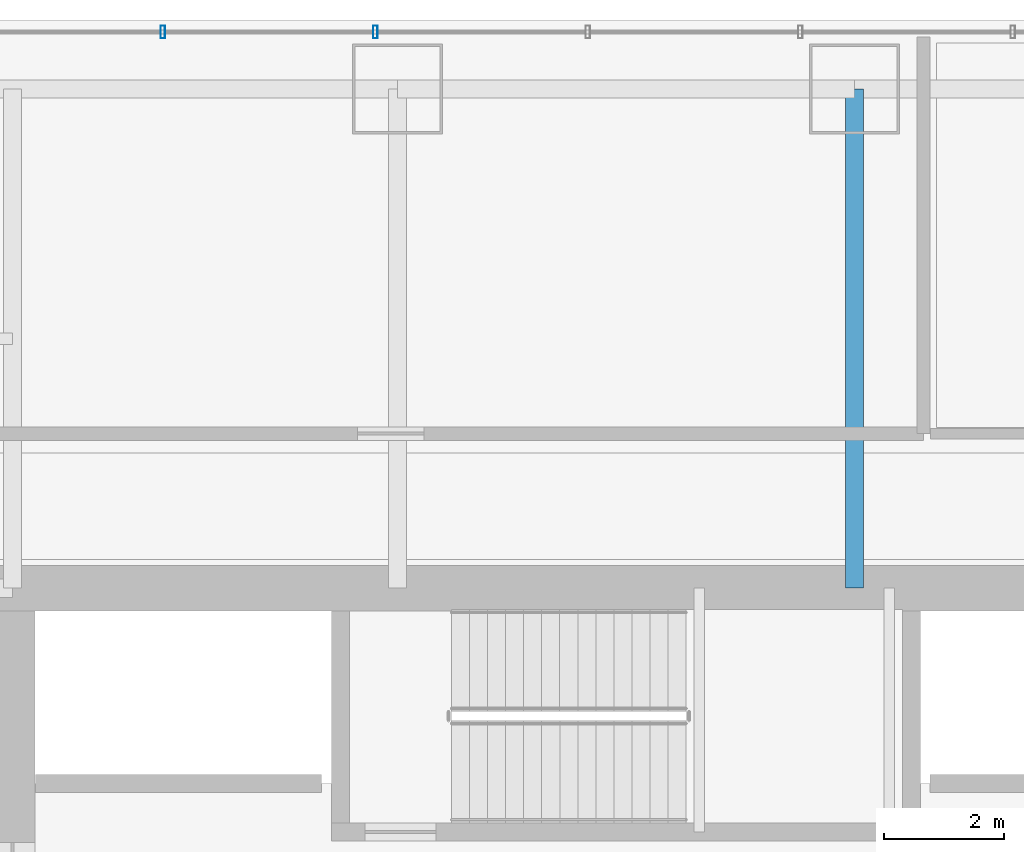
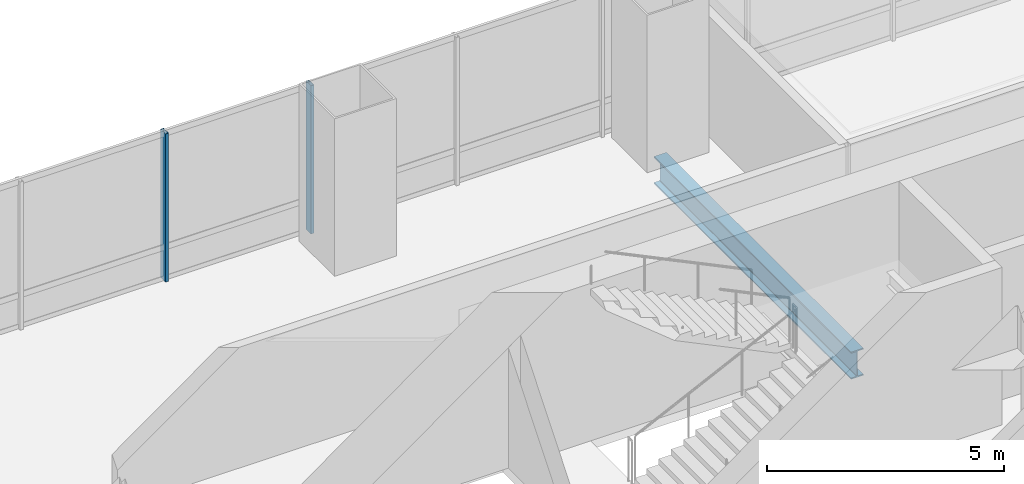
# One storey, part 21 of 35: 2 members, 1 beam, 1 element without a shape of its own.
"""IFC4 building model written with IfcOpenShell, lengths in metres."""

from ifc_helpers import new_model, si_unit, direction, frame, origin, origin_2d, place, context, subcontext, project, spatial, hollow_rectangle, i_section, extrude, material, material_profile, profile_set, type_object, element, aggregate, save


model = new_model("IFC4")

# Units and contexts
model_context = context("Model", 3, precision=1e-05, world=origin(), true_north=direction((0.0, 1.0)))
body_context = subcontext(model_context, "Body", "Model", "MODEL_VIEW")
ifc_project = project(units=[si_unit("LENGTHUNIT", "METRE"), si_unit("AREAUNIT", "SQUARE_METRE"), si_unit("VOLUMEUNIT", "CUBIC_METRE"), si_unit("PLANEANGLEUNIT", "RADIAN"), si_unit("MASSUNIT", "GRAM", prefix="KILO")], contexts=[model_context])

# Site, building, storey
site_placement = place(None, origin())
site = spatial("IfcSite", under=ifc_project, at=site_placement, CompositionType="ELEMENT")
building_placement = place(site_placement, origin())
building = spatial("IfcBuilding", under=site, at=building_placement, Name="Punatoya Terracotta Tower", CompositionType="ELEMENT")
storey_placement = place(building_placement, frame((0.0, 0.0, 52.5)))
storey = spatial("IfcBuildingStorey", under=building, at=storey_placement, Name="L11", CompositionType="ELEMENT", Elevation=52.5)

# Beam
ifc_material_1 = material(Name="Steel S355", Category="steel")
ifc_material_profile_1 = material_profile(ifc_material_1, i_section(OverallWidth=0.300048828125, OverallDepth=0.699951171875, WebThickness=0.01708984375, FlangeThickness=0.031982421875, FilletRadius=0.01806640625, at=origin_2d()))
ifc_profile_set_1 = profile_set([ifc_material_profile_1], Name="Steel S355")
beam_type = type_object("IfcBeamType", Name="BM-PRI-700", PredefinedType="BEAM", material=ifc_profile_set_1)
beam_placement = place(storey_placement, frame((3.800048828125, 9.199951171875, -0.590087890625), z_axis=(0.0, 1.0, 0.0), x_axis=(-1.0, 0.0, 0.0)))
element("IfcBeam", 1, at=beam_placement, inside=storey, type_object=beam_type, Name="BM-L11-PR-N3", PredefinedType="BEAM", context=body_context, shape_type="SweptSolid", body=[
    extrude(i_section(OverallWidth=0.300048828125, OverallDepth=0.699951171875, WebThickness=0.01708984375, FlangeThickness=0.031982421875, FilletRadius=0.01806640625, at=origin_2d()), origin(), (0.0, 0.0, 1.0), 8.300048828125),
])

# Curtain wall, members
ifc_material_2 = material(Name="Aluminium 6063-T6 + Double Low-E Glass", Category="aluminium")
curtain_wall_type = type_object("IfcCurtainWallType", Name="CW-M1", PredefinedType="NOTDEFINED", material=ifc_material_2)
curtain_wall_placement = place(storey_placement, origin())
curtain_wall = element("IfcCurtainWall", 2, at=curtain_wall_placement, inside=storey, type_object=curtain_wall_type, Name="L11 Curtain Wall CW-L11-N09-1", PredefinedType="NOTDEFINED")
ifc_material_3 = material(Name="Aluminium 6063-T6", Category="aluminium")
ifc_material_profile_2 = material_profile(ifc_material_3, hollow_rectangle(XDim=0.074951171875, YDim=0.2099609375, WallThickness=0.00439453125, at=origin_2d()))
ifc_profile_set_2 = profile_set([ifc_material_profile_2], Name="Aluminium 6063-T6")
member_type = type_object("IfcMemberType", Name="CW-MUL-M1", PredefinedType="MULLION", material=ifc_profile_set_2)
member_1_placement = place(storey_placement, frame((-4.1669921875, 18.449951171875, 0.0), z_axis=(0.0, 0.0, 1.0), x_axis=(1.0, 0.0, 0.0)))
member_1 = element("IfcMember", 3, at=member_1_placement, type_object=member_type, Name="CW-L11-N09-1 Mullion 06", PredefinedType="MULLION", context=body_context, shape_type="SweptSolid", body=[
    extrude(hollow_rectangle(XDim=0.074951171875, YDim=0.2099609375, WallThickness=0.00439453125, at=origin_2d()), origin(), (0.0, 0.0, 1.0), 3.81005859375),
])
member_2_placement = place(storey_placement, frame((-7.700927734375, 18.449951171875, 0.0), z_axis=(0.0, 0.0, 1.0), x_axis=(1.0, 0.0, 0.0)))
member_2 = element("IfcMember", 4, at=member_2_placement, type_object=member_type, Name="CW-L11-N09-1 Mullion 07", PredefinedType="MULLION", context=body_context, shape_type="SweptSolid", body=[
    extrude(hollow_rectangle(XDim=0.074951171875, YDim=0.2099609375, WallThickness=0.00439453125, at=origin_2d()), origin(), (0.0, 0.0, 1.0), 3.81005859375),
])
aggregate(curtain_wall, [member_1, member_2])

save(model, "model.ifc")
